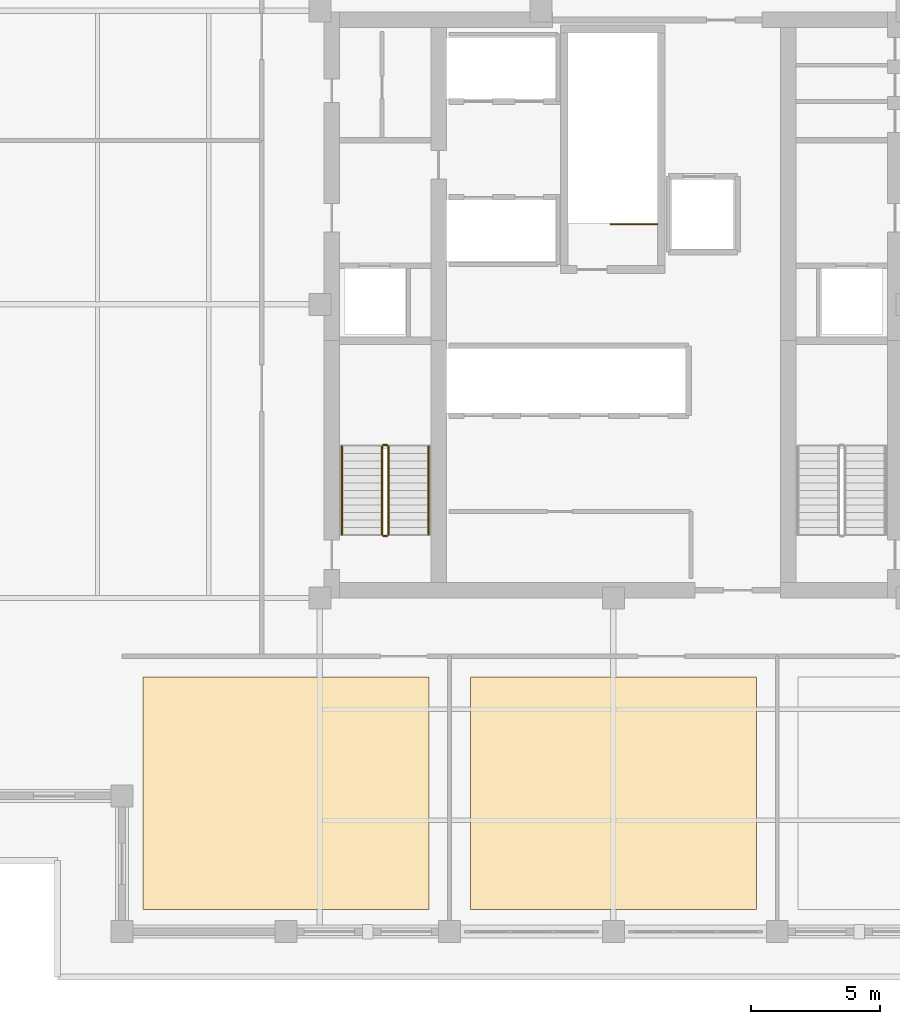
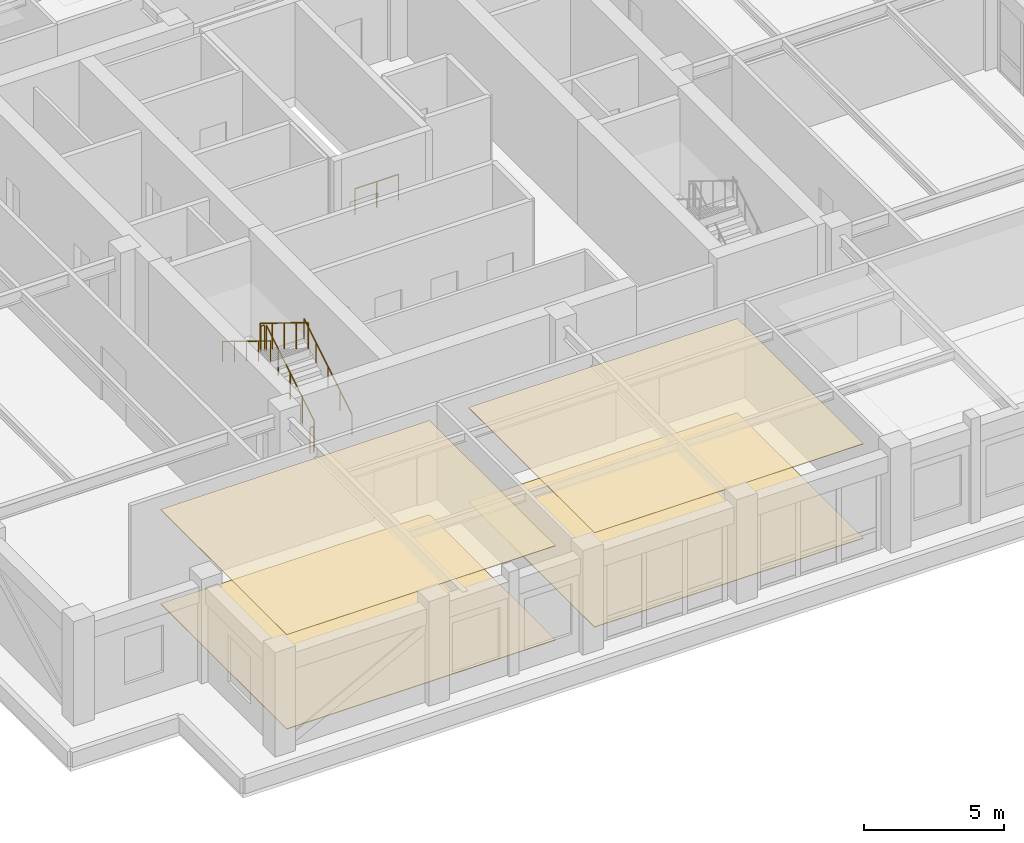
# One storey, part 12 of 14: 7 railings, 4 coverings.
"""IFC4 building model written with IfcOpenShell, lengths in metres."""

from ifc_helpers import new_model, si_unit, direction, frame, origin, origin_2d, place, context, subcontext, project, spatial, polyline, circle, outline, extrude, material, layer, layer_set, type_object, element, save


model = new_model("IFC4")

# Units and contexts
model_context = context("Model", 3, precision=1e-05, world=origin(), true_north=direction((0.0, 1.0)))
body_context = subcontext(model_context, "Body", "Model", "MODEL_VIEW")
ifc_project = project(units=[si_unit("LENGTHUNIT", "METRE"), si_unit("AREAUNIT", "SQUARE_METRE"), si_unit("VOLUMEUNIT", "CUBIC_METRE"), si_unit("PLANEANGLEUNIT", "RADIAN"), si_unit("MASSUNIT", "GRAM", prefix="KILO")], contexts=[model_context])

# Site, building, storey
site_placement = place(None, origin())
site = spatial("IfcSite", under=ifc_project, at=site_placement, CompositionType="ELEMENT")
building_placement = place(site_placement, origin())
building = spatial("IfcBuilding", under=site, at=building_placement, Name="Nhamokura Convention Tower", CompositionType="ELEMENT")
storey_placement = place(building_placement, frame((0.0, 0.0, 182.35009765625)))
storey = spatial("IfcBuildingStorey", under=building, at=storey_placement, Name="L44", CompositionType="ELEMENT", Elevation=182.35009765625)

# Coverings
ifc_material_1 = material(Name="Mineral-fibre acoustic ceiling tile", Category="gypsum")
ifc_layer_1 = layer(ifc_material_1, 0.02490234375)
ifc_layer_set_1 = layer_set([ifc_layer_1], Name="AcousticTileCeiling_25")
covering_type_1 = type_object("IfcCoveringType", Name="AcousticTileCeiling_25", PredefinedType="CEILING", material=ifc_layer_set_1)
covering_1_placement = place(storey_placement, frame((0.0, 0.0, 4.10498046875)))
element("IfcCovering", 1, at=covering_1_placement, inside=storey, type_object=covering_type_1, Name="L44 Suspended Ceiling 01", PredefinedType="CEILING", context=body_context, shape_type="SweptSolid", body=[
    extrude(outline(polyline([(13.800048828125, 8.610107421875), (24.86669921875, 8.610107421875), (24.86669921875, 17.60009765625), (13.800048828125, 17.60009765625), (13.800048828125, 8.610107421875)])), origin(), (0.0, 0.0, 1.0), 0.02490234375),
])
covering_2_placement = place(storey_placement, frame((0.0, 0.0, 4.10498046875)))
element("IfcCovering", 2, at=covering_2_placement, inside=storey, type_object=covering_type_1, Name="L44 Suspended Ceiling 02", PredefinedType="CEILING", context=body_context, shape_type="SweptSolid", body=[
    extrude(outline(polyline([(26.466796875, 8.610107421875), (37.533203125, 8.610107421875), (37.533203125, 17.60009765625), (26.466796875, 17.60009765625), (26.466796875, 8.610107421875)])), origin(), (0.0, 0.0, 1.0), 0.02490234375),
])
ifc_material_2 = material(Name="Polished Sabana granite terrazzo", Category="masonry")
ifc_layer_2 = layer(ifc_material_2, 0.030029296875)
ifc_layer_set_2 = layer_set([ifc_layer_2], Name="SabanaTerrazzoFlooring_30")
covering_type_2 = type_object("IfcCoveringType", Name="SabanaTerrazzoFlooring_30", PredefinedType="FLOORING", material=ifc_layer_set_2)
covering_3_placement = place(storey_placement, origin())
element("IfcCovering", 3, at=covering_3_placement, inside=storey, type_object=covering_type_2, Name="L44 Finish Flooring 01", PredefinedType="FLOORING", context=body_context, shape_type="SweptSolid", body=[
    extrude(outline(polyline([(13.800048828125, 8.610107421875), (24.86669921875, 8.610107421875), (24.86669921875, 17.60009765625), (13.800048828125, 17.60009765625), (13.800048828125, 8.610107421875)])), origin(), (0.0, 0.0, 1.0), 0.02978515625),
])
covering_4_placement = place(storey_placement, origin())
element("IfcCovering", 4, at=covering_4_placement, inside=storey, type_object=covering_type_2, Name="L44 Finish Flooring 02", PredefinedType="FLOORING", context=body_context, shape_type="SweptSolid", body=[
    extrude(outline(polyline([(26.466796875, 8.610107421875), (37.533203125, 8.610107421875), (37.533203125, 17.60009765625), (26.466796875, 17.60009765625), (26.466796875, 8.610107421875)])), origin(), (0.0, 0.0, 1.0), 0.02978515625),
])

# Railings
ifc_material_3 = material(Name="Anodised bronze stainless steel", Category="steel")
railing_type_1 = type_object("IfcRailingType", Name="StairWallHandrail_900", PredefinedType="HANDRAIL", material=ifc_material_3)
railing_1_placement = place(storey_placement, frame((24.85009765625, 23.10009765625, 0.1748046875)))
element("IfcRailing", 5, at=railing_1_placement, inside=storey, type_object=railing_type_1, Name="L44 ST-01 stair handrail 1", PredefinedType="HANDRAIL", context=body_context, shape_type="SweptSolid", body=[
    extrude(circle(Radius=0.02392578125, at=origin_2d()), frame((0.0, 0.0, 0.8759765625), z_axis=(0.0, 0.852155044755, 0.523289384279), x_axis=(-1.0, 0.0, 0.0)), (0.0, 0.0, 1.0), 4.01318359375),
    extrude(circle(Radius=0.02099609375, at=origin_2d()), origin(), (0.0, 0.0, 1.0), 0.851806640625),
    extrude(circle(Radius=0.02099609375, at=origin_2d()), frame((0.0, 0.85498046875, 0.52490234375)), (0.0, 0.0, 1.0), 0.851806640625),
    extrude(circle(Radius=0.02099609375, at=origin_2d()), frame((0.0, 1.7099609375, 1.050048828125)), (0.0, 0.0, 1.0), 0.851806640625),
    extrude(circle(Radius=0.02099609375, at=origin_2d()), frame((0.0, 2.56494140625, 1.5751953125)), (0.0, 0.0, 1.0), 0.851806640625),
    extrude(circle(Radius=0.02099609375, at=origin_2d()), frame((0.0, 3.419921875, 2.10009765625)), (0.0, 0.0, 1.0), 0.851806640625),
])
railing_2_placement = place(storey_placement, frame((21.5, 26.52001953125, 2.449951171875)))
element("IfcRailing", 6, at=railing_2_placement, inside=storey, type_object=railing_type_1, Name="L44 ST-01 stair handrail 2", PredefinedType="HANDRAIL", context=body_context, shape_type="SweptSolid", body=[
    extrude(circle(Radius=0.02392578125, at=origin_2d()), frame((0.0, 0.0, 0.8759765625), z_axis=(0.0, -0.852182171552, 0.523245206847), x_axis=(1.0, 0.0, 0.0)), (0.0, 0.0, 1.0), 4.01318359375),
    extrude(circle(Radius=0.02099609375, at=origin_2d()), origin(), (0.0, 0.0, 1.0), 0.851806640625),
    extrude(circle(Radius=0.02099609375, at=origin_2d()), frame((0.0, -0.85498046875, 0.52490234375)), (0.0, 0.0, 1.0), 0.851806640625),
    extrude(circle(Radius=0.02099609375, at=origin_2d()), frame((0.0, -1.7099609375, 1.0498046875)), (0.0, 0.0, 1.0), 0.851806640625),
    extrude(circle(Radius=0.02099609375, at=origin_2d()), frame((0.0, -2.56494140625, 1.574951171875)), (0.0, 0.0, 1.0), 0.851806640625),
    extrude(circle(Radius=0.02099609375, at=origin_2d()), frame((0.0, -3.419921875, 2.099853515625)), (0.0, 0.0, 1.0), 0.851806640625),
])
ifc_material_4 = material(Name="Painted tubular steel", Category="steel")
railing_type_2 = type_object("IfcRailingType", Name="StairWellGuardrail_1150", PredefinedType="GUARDRAIL", material=ifc_material_4)
railing_3_placement = place(storey_placement, frame((23.300048828125, 23.10009765625, 0.1748046875)))
element("IfcRailing", 7, at=railing_3_placement, inside=storey, type_object=railing_type_2, Name="L44 ST-01 stair guard 1", PredefinedType="GUARDRAIL", context=body_context, shape_type="SweptSolid", body=[
    extrude(circle(Radius=0.02392578125, at=origin_2d()), frame((0.0, 0.0, 1.1259765625), z_axis=(0.0, 0.852155044755, 0.523289384279), x_axis=(-1.0, 0.0, 0.0)), (0.0, 0.0, 1.0), 4.01318359375),
    extrude(circle(Radius=0.02099609375, at=origin_2d()), origin(), (0.0, 0.0, 1.0), 1.101806640625),
    extrude(circle(Radius=0.02099609375, at=origin_2d()), frame((0.0, 0.85498046875, 0.52490234375)), (0.0, 0.0, 1.0), 1.101806640625),
    extrude(circle(Radius=0.02099609375, at=origin_2d()), frame((0.0, 1.7099609375, 1.050048828125)), (0.0, 0.0, 1.0), 1.101806640625),
    extrude(circle(Radius=0.02099609375, at=origin_2d()), frame((0.0, 2.56494140625, 1.5751953125)), (0.0, 0.0, 1.0), 1.101806640625),
    extrude(circle(Radius=0.02099609375, at=origin_2d()), frame((0.0, 3.419921875, 2.10009765625)), (0.0, 0.0, 1.0), 1.101806640625),
])
railing_4_placement = place(storey_placement, frame((23.25, 26.570068359375, 2.27490234375)))
element("IfcRailing", 8, at=railing_4_placement, inside=storey, type_object=railing_type_2, Name="L44 ST-01 stair guard 2", PredefinedType="GUARDRAIL", context=body_context, shape_type="SweptSolid", body=[
    extrude(circle(Radius=0.02392578125, at=origin_2d()), frame((0.0, 0.0, 1.1259765625), z_axis=(-1.0, 0.0, 0.0), x_axis=(0.0, -1.0, 0.0)), (0.0, 0.0, 1.0), 0.14990234375),
    extrude(circle(Radius=0.02099609375, at=origin_2d()), origin(), (0.0, 0.0, 1.0), 1.101806640625),
    extrude(circle(Radius=0.02099609375, at=origin_2d()), frame((-0.14990234375, 0.0, 0.0)), (0.0, 0.0, 1.0), 1.101806640625),
])
railing_5_placement = place(storey_placement, frame((23.050048828125, 26.52001953125, 2.449951171875)))
element("IfcRailing", 9, at=railing_5_placement, inside=storey, type_object=railing_type_2, Name="L44 ST-01 stair guard 3", PredefinedType="GUARDRAIL", context=body_context, shape_type="SweptSolid", body=[
    extrude(circle(Radius=0.02392578125, at=origin_2d()), frame((0.0, 0.0, 1.1259765625), z_axis=(0.0, -0.852182171552, 0.523245206847), x_axis=(1.0, 0.0, 0.0)), (0.0, 0.0, 1.0), 4.01318359375),
    extrude(circle(Radius=0.02099609375, at=origin_2d()), origin(), (0.0, 0.0, 1.0), 1.101806640625),
    extrude(circle(Radius=0.02099609375, at=origin_2d()), frame((0.0, -0.85498046875, 0.52490234375)), (0.0, 0.0, 1.0), 1.101806640625),
    extrude(circle(Radius=0.02099609375, at=origin_2d()), frame((0.0, -1.7099609375, 1.0498046875)), (0.0, 0.0, 1.0), 1.101806640625),
    extrude(circle(Radius=0.02099609375, at=origin_2d()), frame((0.0, -2.56494140625, 1.574951171875)), (0.0, 0.0, 1.0), 1.101806640625),
    extrude(circle(Radius=0.02099609375, at=origin_2d()), frame((0.0, -3.419921875, 2.099853515625)), (0.0, 0.0, 1.0), 1.101806640625),
])
railing_6_placement = place(storey_placement, frame((23.25, 23.050048828125, 0.0)))
element("IfcRailing", 10, at=railing_6_placement, inside=storey, type_object=railing_type_2, Name="L44 ST-01 stair guard 4", PredefinedType="GUARDRAIL", context=body_context, shape_type="SweptSolid", body=[
    extrude(circle(Radius=0.02392578125, at=origin_2d()), frame((0.0, 0.0, 1.1259765625), z_axis=(-1.0, 0.0, 0.0), x_axis=(0.0, -1.0, 0.0)), (0.0, 0.0, 1.0), 0.14990234375),
    extrude(circle(Radius=0.02099609375, at=origin_2d()), origin(), (0.0, 0.0, 1.0), 1.101806640625),
    extrude(circle(Radius=0.02099609375, at=origin_2d()), frame((-0.14990234375, 0.0, 0.0)), (0.0, 0.0, 1.0), 1.101806640625),
])
railing_7_placement = place(storey_placement, frame((33.699951171875, 35.10009765625, 0.0)))
element("IfcRailing", 11, at=railing_7_placement, inside=storey, type_object=railing_type_2, Name="L44 ST-03 top well guard 1", PredefinedType="GUARDRAIL", context=body_context, shape_type="SweptSolid", body=[
    extrude(circle(Radius=0.02392578125, at=origin_2d()), frame((0.0, 0.0, 1.1259765625), z_axis=(-1.0, 0.0, 0.0), x_axis=(0.0, -1.0, 0.0)), (0.0, 0.0, 1.0), 1.800048828125),
    extrude(circle(Radius=0.02099609375, at=origin_2d()), origin(), (0.0, 0.0, 1.0), 1.101806640625),
    extrude(circle(Radius=0.02099609375, at=origin_2d()), frame((-0.89990234375, 0.0, 0.0)), (0.0, 0.0, 1.0), 1.101806640625),
    extrude(circle(Radius=0.02099609375, at=origin_2d()), frame((-1.800048828125, 0.0, 0.0)), (0.0, 0.0, 1.0), 1.101806640625),
])

save(model, "model.ifc")
